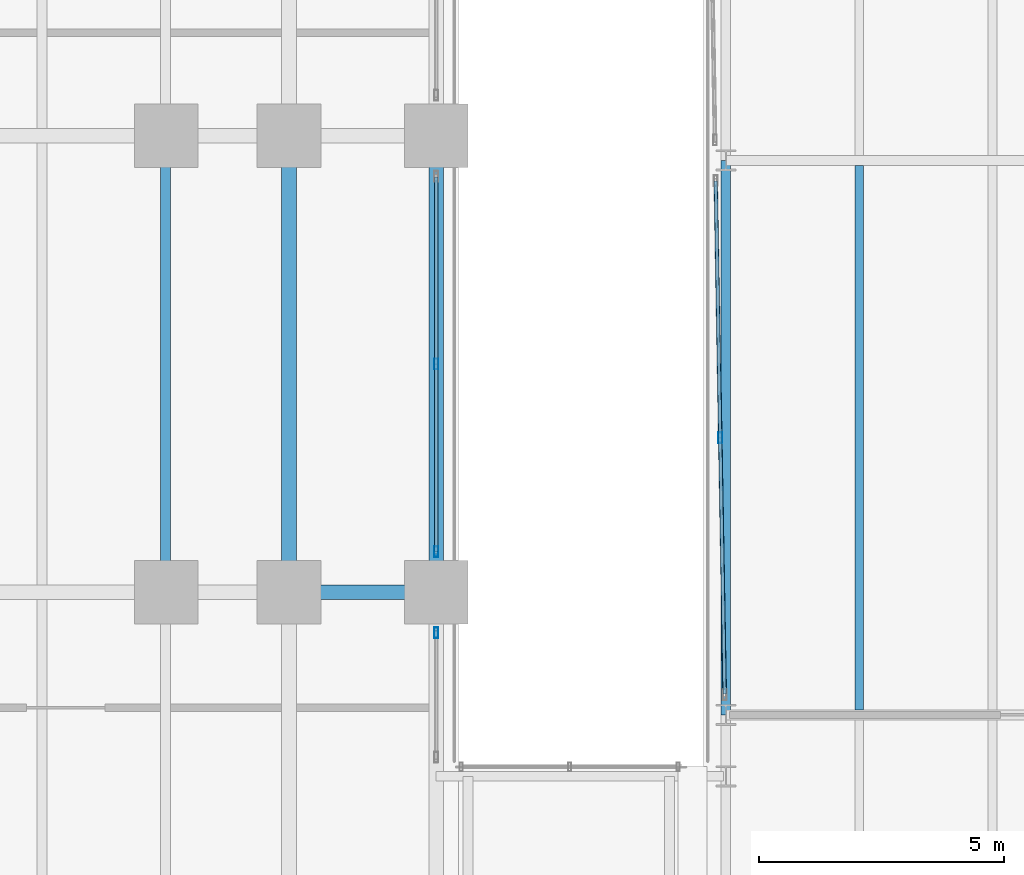
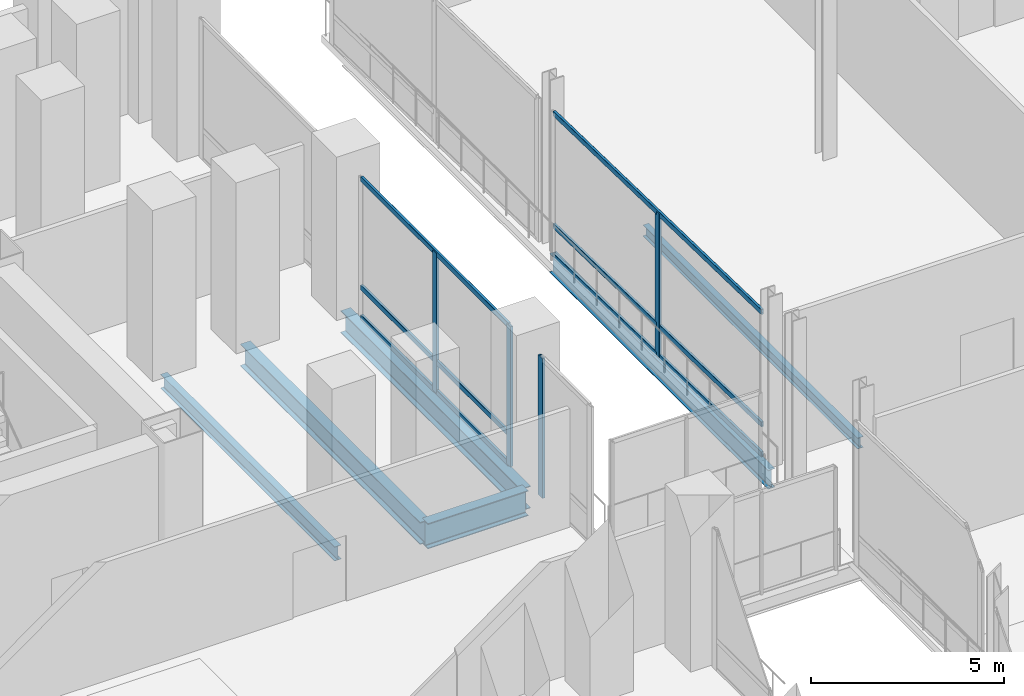
# One storey, part 16 of 30: 10 members, 6 beams, 3 elements without a shape of their own.
"""IFC4 building model written with IfcOpenShell, lengths in metres."""

from ifc_helpers import new_model, si_unit, direction, frame, origin, origin_2d, place, context, subcontext, project, spatial, hollow_rectangle, i_section, extrude, material, material_profile, profile_set, type_object, element, aggregate, save


model = new_model("IFC4")

# Units and contexts
model_context = context("Model", 3, precision=1e-05, world=origin(), true_north=direction((0.0, 1.0)))
body_context = subcontext(model_context, "Body", "Model", "MODEL_VIEW")
ifc_project = project(units=[si_unit("LENGTHUNIT", "METRE"), si_unit("AREAUNIT", "SQUARE_METRE"), si_unit("VOLUMEUNIT", "CUBIC_METRE"), si_unit("PLANEANGLEUNIT", "RADIAN"), si_unit("MASSUNIT", "GRAM", prefix="KILO")], contexts=[model_context])

# Site, building, storey
site_placement = place(None, origin())
site = spatial("IfcSite", under=ifc_project, at=site_placement, CompositionType="ELEMENT")
building_placement = place(site_placement, origin())
building = spatial("IfcBuilding", under=site, at=building_placement, Name="Noeulbin Bourse Tower", CompositionType="ELEMENT")
storey_placement = place(building_placement, frame((0.0, 0.0, 16.60009765625)))
storey = spatial("IfcBuildingStorey", under=building, at=storey_placement, Name="L04", CompositionType="ELEMENT", Elevation=16.60009765625)

# Beams
ifc_material_1 = material(Name="Steel S355", Category="steel")
ifc_material_profile_1 = material_profile(ifc_material_1, i_section(OverallWidth=0.199951171875, OverallDepth=0.60009765625, WebThickness=0.010986328125, FlangeThickness=0.01708984375, FilletRadius=0.02197265625, at=origin_2d()), Name="H-600x200x11x17", Category="LoadBearing")
ifc_profile_set_1 = profile_set([ifc_material_profile_1], Name="Steel S355")
beam_type_1 = type_object("IfcBeamType", Name="BM-GRD-600", PredefinedType="USERDEFINED", material=ifc_profile_set_1)
beam_1_placement = place(storey_placement, frame((60.449951171875, 26.5, -0.52001953125), z_axis=(0.0, 1.0, 0.0), x_axis=(-1.0, 0.0, 0.0)))
element("IfcBeam", 1, at=beam_1_placement, inside=storey, type_object=beam_type_1, Name="Market Hall Girder NS L04-13", ObjectType="GIRDER", PredefinedType="USERDEFINED", context=body_context, shape_type="SweptSolid", body=[
    extrude(i_section(OverallWidth=0.199951171875, OverallDepth=0.60009765625, WebThickness=0.010986328125, FlangeThickness=0.01708984375, FilletRadius=0.02197265625, at=origin_2d()), origin(), (0.0, 0.0, 1.0), 11.300048828125),
])
ifc_material_profile_2 = material_profile(ifc_material_1, i_section(OverallWidth=0.300048828125, OverallDepth=0.699951171875, WebThickness=0.012939453125, FlangeThickness=0.02392578125, FilletRadius=0.02392578125, at=origin_2d()), Name="H-700x300x13x24", Category="LoadBearing")
ifc_profile_set_2 = profile_set([ifc_material_profile_2], Name="Steel S355")
beam_type_2 = type_object("IfcBeamType", Name="BM-GRD-700", PredefinedType="USERDEFINED", material=ifc_profile_set_2)
for number, where, z_axis, x_axis, name in (
    (2, (51.550048828125, 29.0, -0.60009765625), (0.0, 1.0, 0.0), (-1.0, 0.0, 0.0), "Podium Primary Girder NS L04-099"),
    (3, (54.550048828125, 29.0, -0.60009765625), (0.0, 1.0, 0.0), (-1.0, 0.0, 0.0), "Podium Primary Girder NS L04-105"),
):
    element("IfcBeam", number, at=place(storey_placement, frame(where, z_axis=z_axis, x_axis=x_axis)), inside=storey, type_object=beam_type_2, Name=name, ObjectType="GIRDER", PredefinedType="USERDEFINED", context=body_context, shape_type="SweptSolid", body=[
        extrude(i_section(OverallWidth=0.300048828125, OverallDepth=0.699951171875, WebThickness=0.012939453125, FlangeThickness=0.02392578125, FilletRadius=0.02392578125, at=origin_2d()), origin(), (0.0, 0.0, 1.0), 9.300048828125),
    ])
ifc_material_profile_3 = material_profile(ifc_material_1, i_section(OverallWidth=0.300048828125, OverallDepth=0.800048828125, WebThickness=0.013916015625, FlangeThickness=0.02587890625, FilletRadius=0.02587890625, at=origin_2d()), Name="H-800x300x14x26", Category="LoadBearing")
ifc_profile_set_3 = profile_set([ifc_material_profile_3], Name="Steel S355")
beam_type_3 = type_object("IfcBeamType", Name="BM-GRD-800", PredefinedType="USERDEFINED", material=ifc_profile_set_3)
beam_2_placement = place(storey_placement, frame((51.550048828125, 29.0, -0.650146484375), z_axis=(1.0, 0.0, 0.0), x_axis=(0.0, 1.0, 0.0)))
element("IfcBeam", 4, at=beam_2_placement, inside=storey, type_object=beam_type_3, Name="Podium Primary Girder EW L04-032", ObjectType="GIRDER", PredefinedType="USERDEFINED", context=body_context, shape_type="SweptSolid", body=[
    extrude(i_section(OverallWidth=0.300048828125, OverallDepth=0.800048828125, WebThickness=0.013916015625, FlangeThickness=0.02587890625, FilletRadius=0.02587890625, at=origin_2d()), origin(), (0.0, 0.0, 1.0), 3.0),
])
ifc_material_profile_4 = material_profile(ifc_material_1, i_section(OverallWidth=0.175048828125, OverallDepth=0.35009765625, WebThickness=0.007080078125, FlangeThickness=0.010986328125, FilletRadius=0.013916015625, at=origin_2d()), Name="H-350x175x7x11", Category="LoadBearing")
ifc_profile_set_4 = profile_set([ifc_material_profile_4], Name="Steel S355")
beam_type_4 = type_object("IfcBeamType", Name="BM-JST-350", PredefinedType="JOIST", material=ifc_profile_set_4)
beam_3_placement = place(storey_placement, frame((63.166748046875, 26.60009765625, -0.39501953125), z_axis=(0.0, 1.0, 0.0), x_axis=(-1.0, 0.0, 0.0)))
element("IfcBeam", 5, at=beam_3_placement, inside=storey, type_object=beam_type_4, Name="Market Hall Secondary Joist L04-03", PredefinedType="JOIST", context=body_context, shape_type="SweptSolid", body=[
    extrude(i_section(OverallWidth=0.175048828125, OverallDepth=0.35009765625, WebThickness=0.007080078125, FlangeThickness=0.010986328125, FilletRadius=0.013916015625, at=origin_2d()), origin(), (0.0, 0.0, 1.0), 11.099853515625),
])
ifc_material_profile_5 = material_profile(ifc_material_1, i_section(OverallWidth=0.199951171875, OverallDepth=0.449951171875, WebThickness=0.009033203125, FlangeThickness=0.013916015625, FilletRadius=0.01806640625, at=origin_2d()), Name="H-450x200x9x14", Category="LoadBearing")
ifc_profile_set_5 = profile_set([ifc_material_profile_5], Name="Steel S355")
beam_type_5 = type_object("IfcBeamType", Name="BM-SEC-450", PredefinedType="BEAM", material=ifc_profile_set_5)
beam_4_placement = place(storey_placement, frame((49.033203125, 29.14990234375, -0.47509765625), z_axis=(0.0, 1.0, 0.0), x_axis=(-1.0, 0.0, 0.0)))
element("IfcBeam", 6, at=beam_4_placement, inside=storey, type_object=beam_type_5, Name="Podium Secondary Beam L04-082", PredefinedType="BEAM", context=body_context, shape_type="SweptSolid", body=[
    extrude(i_section(OverallWidth=0.199951171875, OverallDepth=0.449951171875, WebThickness=0.009033203125, FlangeThickness=0.013916015625, FilletRadius=0.01806640625, at=origin_2d()), origin(), (0.0, 0.0, 1.0), 9.0),
])

# Curtain wall, member
ifc_material_2 = material(Name="Laminated Clear Low-E Glass", Category="glass")
curtain_wall_type = type_object("IfcCurtainWallType", Name="CW-SYS-1", PredefinedType="NOTDEFINED", material=ifc_material_2)
curtain_wall_1_placement = place(storey_placement, origin())
curtain_wall_1 = element("IfcCurtainWall", 7, at=curtain_wall_1_placement, inside=storey, type_object=curtain_wall_type, Name="Unitised Curtain Wall CW-L04-POD-E2-S1", PredefinedType="NOTDEFINED")
ifc_material_3 = material(Name="Anodised Aluminium 6063-T6", Category="aluminium")
ifc_material_profile_6 = material_profile(ifc_material_3, hollow_rectangle(XDim=0.074951171875, YDim=0.219970703125, WallThickness=0.0048828125, InnerFilletRadius=0.00244140625, OuterFilletRadius=0.0048828125, at=origin_2d()), Name="ALU-MULL-75x220x5", Category="LoadBearing")
ifc_profile_set_6 = profile_set([ifc_material_profile_6], Name="Anodised Aluminium 6063-T6")
member_type_1 = type_object("IfcMemberType", Name="CW-SYS-1-MUL", PredefinedType="MULLION", material=ifc_profile_set_6)
member_1_placement = place(storey_placement, frame((54.550048828125, 28.175048828125, -0.02001953125), z_axis=(0.0, 0.0, 1.0), x_axis=(1.0, 0.0, 0.0)))
member_1 = element("IfcMember", 8, at=member_1_placement, type_object=member_type_1, Name="Curtain Wall Mullion CW-L04-POD-E2-S1-M01", PredefinedType="MULLION", context=body_context, shape_type="SweptSolid", body=[
    extrude(hollow_rectangle(XDim=0.074951171875, YDim=0.219970703125, WallThickness=0.0048828125, InnerFilletRadius=0.00244140625, OuterFilletRadius=0.0048828125, at=origin_2d()), origin(), (0.0, 0.0, 1.0), 4.419921875),
])
aggregate(curtain_wall_1, [member_1])

# Curtain wall, members
curtain_wall_2_placement = place(storey_placement, origin())
curtain_wall_2 = element("IfcCurtainWall", 9, at=curtain_wall_2_placement, inside=storey, type_object=curtain_wall_type, Name="Unitised Curtain Wall CW-L04-POD-E2-S2", PredefinedType="NOTDEFINED")
member_2_placement = place(storey_placement, frame((54.550048828125, 29.824951171875, -0.02001953125), z_axis=(0.0, 0.0, 1.0), x_axis=(1.0, 0.0, 0.0)))
member_2 = element("IfcMember", 10, at=member_2_placement, type_object=member_type_1, Name="Curtain Wall Mullion CW-L04-POD-E2-S2-M00", PredefinedType="MULLION", context=body_context, shape_type="SweptSolid", body=[
    extrude(hollow_rectangle(XDim=0.074951171875, YDim=0.219970703125, WallThickness=0.0048828125, InnerFilletRadius=0.00244140625, OuterFilletRadius=0.0048828125, at=origin_2d()), origin(), (0.0, 0.0, 1.0), 4.419921875),
])
member_3_placement = place(storey_placement, frame((54.550048828125, 33.64990234375, -0.02001953125), z_axis=(0.0, 0.0, 1.0), x_axis=(1.0, 0.0, 0.0)))
member_3 = element("IfcMember", 11, at=member_3_placement, type_object=member_type_1, Name="Curtain Wall Mullion CW-L04-POD-E2-S2-M01", PredefinedType="MULLION", context=body_context, shape_type="SweptSolid", body=[
    extrude(hollow_rectangle(XDim=0.074951171875, YDim=0.219970703125, WallThickness=0.0048828125, InnerFilletRadius=0.00244140625, OuterFilletRadius=0.0048828125, at=origin_2d()), origin(), (0.0, 0.0, 1.0), 4.419921875),
])

# Curtain wall, member
curtain_wall_3_placement = place(storey_placement, origin())
curtain_wall_3 = element("IfcCurtainWall", 12, at=curtain_wall_3_placement, inside=storey, type_object=curtain_wall_type, Name="Unitised Curtain Wall CW-L04-MKT-W2-S1", PredefinedType="NOTDEFINED")
member_4_placement = place(storey_placement, frame((60.335693359375, 32.14990234375, -0.02001953125), z_axis=(0.0, 0.0, 1.0), x_axis=(1.0, 0.0, 0.0)))
member_4 = element("IfcMember", 13, at=member_4_placement, type_object=member_type_1, Name="Curtain Wall Mullion CW-L04-MKT-W2-S1-M01", PredefinedType="MULLION", context=body_context, shape_type="SweptSolid", body=[
    extrude(hollow_rectangle(XDim=0.074951171875, YDim=0.219970703125, WallThickness=0.0048828125, InnerFilletRadius=0.00244140625, OuterFilletRadius=0.0048828125, at=origin_2d()), origin(), (0.0, 0.0, 1.0), 4.5498046875),
])

# Member
ifc_material_profile_7 = material_profile(ifc_material_3, hollow_rectangle(XDim=0.074951171875, YDim=0.159912109375, WallThickness=0.0048828125, InnerFilletRadius=0.00244140625, OuterFilletRadius=0.0048828125, at=origin_2d()), Name="ALU-TRAN-75x160x5", Category="LoadBearing")
ifc_profile_set_7 = profile_set([ifc_material_profile_7], Name="Anodised Aluminium 6063-T6")
member_type_2 = type_object("IfcMemberType", Name="CW-SYS-1-TRN", PredefinedType="USERDEFINED", material=ifc_profile_set_7)
member_5_placement = place(storey_placement, frame((54.550048828125, 29.8349609375, 0.010009765625), z_axis=(0.0, 1.0, 0.0), x_axis=(-1.0, 0.0, 0.0)))
member_5 = element("IfcMember", 14, at=member_5_placement, type_object=member_type_2, Name="Curtain Wall Transom CW-L04-POD-E2-S2-T00", ObjectType="TRANSOM", PredefinedType="USERDEFINED", context=body_context, shape_type="SweptSolid", body=[
    extrude(hollow_rectangle(XDim=0.074951171875, YDim=0.159912109375, WallThickness=0.0048828125, InnerFilletRadius=0.00244140625, OuterFilletRadius=0.0048828125, at=origin_2d()), origin(), (0.0, 0.0, 1.0), 7.630126953125),
])

member_6_placement = place(storey_placement, frame((54.550048828125, 29.8349609375, 0.949951171875), z_axis=(0.0, 1.0, 0.0), x_axis=(-1.0, 0.0, 0.0)))
member_6 = element("IfcMember", 15, at=member_6_placement, type_object=member_type_2, Name="Curtain Wall Transom CW-L04-POD-E2-S2-T01", ObjectType="TRANSOM", PredefinedType="USERDEFINED", context=body_context, shape_type="SweptSolid", body=[
    extrude(hollow_rectangle(XDim=0.074951171875, YDim=0.159912109375, WallThickness=0.0048828125, InnerFilletRadius=0.00244140625, OuterFilletRadius=0.0048828125, at=origin_2d()), origin(), (0.0, 0.0, 1.0), 7.630126953125),
])

member_7_placement = place(storey_placement, frame((54.550048828125, 29.8349609375, 4.369873046875), z_axis=(0.0, 1.0, 0.0), x_axis=(-1.0, 0.0, 0.0)))
member_7 = element("IfcMember", 16, at=member_7_placement, type_object=member_type_2, Name="Curtain Wall Transom CW-L04-POD-E2-S2-T02", ObjectType="TRANSOM", PredefinedType="USERDEFINED", context=body_context, shape_type="SweptSolid", body=[
    extrude(hollow_rectangle(XDim=0.074951171875, YDim=0.159912109375, WallThickness=0.0048828125, InnerFilletRadius=0.00244140625, OuterFilletRadius=0.0048828125, at=origin_2d()), origin(), (0.0, 0.0, 1.0), 7.630126953125),
])

aggregate(curtain_wall_2, [member_2, member_3, member_5, member_6, member_7])

member_8_placement = place(storey_placement, frame((60.427001953125, 26.924072265625, 0.010009765625), z_axis=(-0.01742278307, 0.999848211795, 0.0), x_axis=(-0.999848211795, -0.01742278307, 0.0)))
member_8 = element("IfcMember", 17, at=member_8_placement, type_object=member_type_2, Name="Curtain Wall Transom CW-L04-MKT-W2-S1-T00", ObjectType="TRANSOM", PredefinedType="USERDEFINED", context=body_context, shape_type="SweptSolid", body=[
    extrude(hollow_rectangle(XDim=0.074951171875, YDim=0.159912109375, WallThickness=0.0048828125, InnerFilletRadius=0.00244140625, OuterFilletRadius=0.0048828125, at=origin_2d()), origin(), (0.0, 0.0, 1.0), 10.453369140625),
])

member_9_placement = place(storey_placement, frame((60.427001953125, 26.924072265625, 0.949951171875), z_axis=(-0.01742278307, 0.999848211795, 0.0), x_axis=(-0.999848211795, -0.01742278307, 0.0)))
member_9 = element("IfcMember", 18, at=member_9_placement, type_object=member_type_2, Name="Curtain Wall Transom CW-L04-MKT-W2-S1-T01", ObjectType="TRANSOM", PredefinedType="USERDEFINED", context=body_context, shape_type="SweptSolid", body=[
    extrude(hollow_rectangle(XDim=0.074951171875, YDim=0.159912109375, WallThickness=0.0048828125, InnerFilletRadius=0.00244140625, OuterFilletRadius=0.0048828125, at=origin_2d()), origin(), (0.0, 0.0, 1.0), 10.453369140625),
])

member_10_placement = place(storey_placement, frame((60.427001953125, 26.924072265625, 4.5), z_axis=(-0.01742278307, 0.999848211795, 0.0), x_axis=(-0.999848211795, -0.01742278307, 0.0)))
member_10 = element("IfcMember", 19, at=member_10_placement, type_object=member_type_2, Name="Curtain Wall Transom CW-L04-MKT-W2-S1-T02", ObjectType="TRANSOM", PredefinedType="USERDEFINED", context=body_context, shape_type="SweptSolid", body=[
    extrude(hollow_rectangle(XDim=0.074951171875, YDim=0.159912109375, WallThickness=0.0048828125, InnerFilletRadius=0.00244140625, OuterFilletRadius=0.0048828125, at=origin_2d()), origin(), (0.0, 0.0, 1.0), 10.453369140625),
])

aggregate(curtain_wall_3, [member_4, member_8, member_9, member_10])

save(model, "model.ifc")
